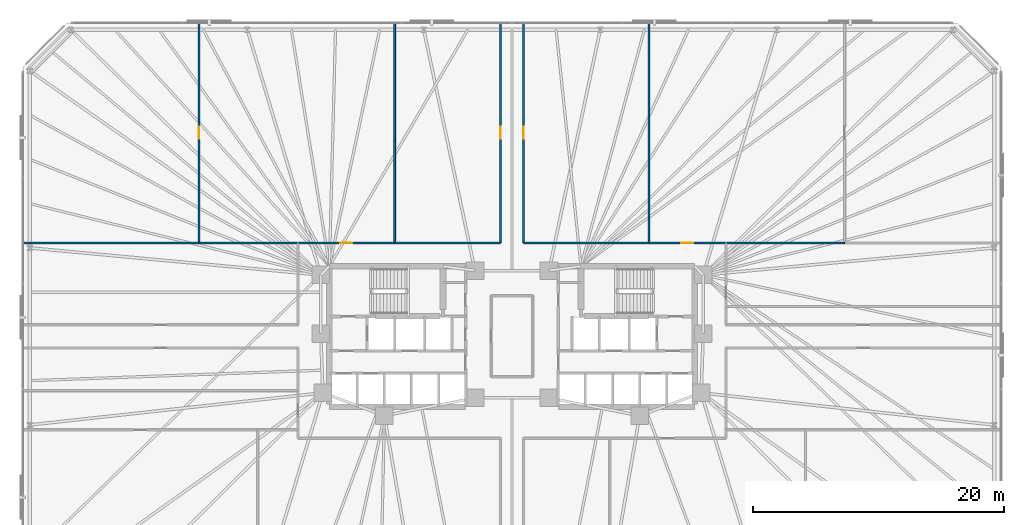
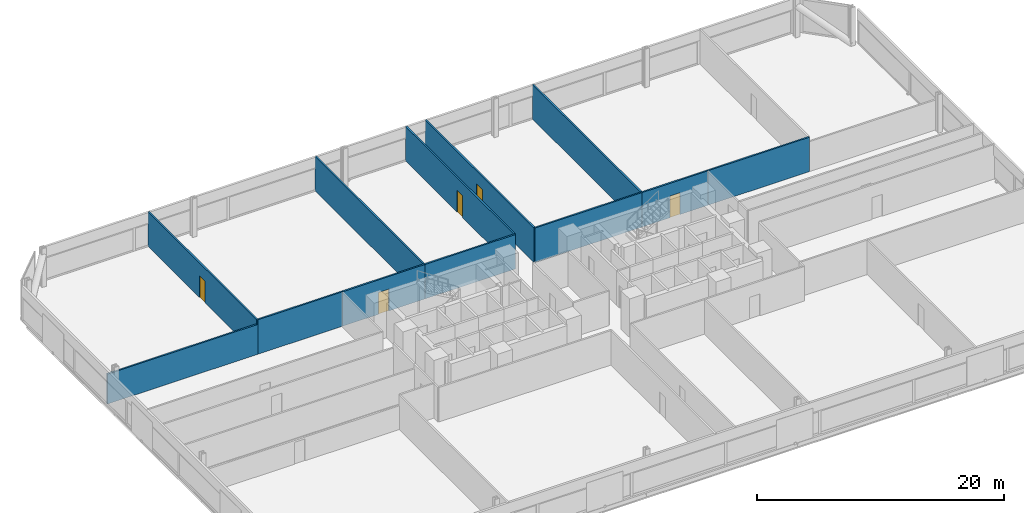
# One storey, part 14 of 17: 12 walls, 5 doors, 5 openings.
"""IFC4 building model written with IfcOpenShell, lengths in metres."""

from ifc_helpers import new_model, si_unit, direction, frame, frame_2d, origin, place, context, subcontext, project, spatial, rectangle, extrude, material, layer, layer_set, type_object, element, fill, save


model = new_model("IFC4")

# Units and contexts
model_context = context("Model", 3, precision=1e-05, world=origin(), true_north=direction((0.0, 1.0)))
body_context = subcontext(model_context, "Body", "Model", "MODEL_VIEW")
ifc_project = project(units=[si_unit("LENGTHUNIT", "METRE"), si_unit("AREAUNIT", "SQUARE_METRE"), si_unit("VOLUMEUNIT", "CUBIC_METRE"), si_unit("PLANEANGLEUNIT", "RADIAN"), si_unit("MASSUNIT", "GRAM", prefix="KILO")], contexts=[model_context])

# Site, building, storey
site_placement = place(None, origin())
site = spatial("IfcSite", under=ifc_project, at=site_placement, CompositionType="ELEMENT")
building_placement = place(site_placement, origin())
building = spatial("IfcBuilding", under=site, at=building_placement, Name="Menara Jurai Vektor", CompositionType="ELEMENT")
storey_placement = place(building_placement, frame((0.0, 0.0, 75.0)))
storey = spatial("IfcBuildingStorey", under=building, at=storey_placement, Name="L18", CompositionType="ELEMENT", Elevation=75.0)

# Wall, opening, door
ifc_material_1 = material(Name="Gypsum Fireboard Partition", Category="gypsum")
ifc_layer_1 = layer(ifc_material_1, 0.14990234375)
ifc_layer_set_1 = layer_set([ifc_layer_1], Name="Gypsum Fireboard Partition")
wall_type_1 = type_object("IfcWallType", Name="INT-WALL-CORR-150", PredefinedType="PARTITIONING", material=ifc_layer_set_1)
wall_1_placement = place(storey_placement, frame((-17.05908203125, 7.449951171875, 0.0), z_axis=(0.0, 0.0, 1.0), x_axis=(1.0, 0.0, 0.0)))
wall_1 = element("IfcWall", 1, at=wall_1_placement, inside=storey, type_object=wall_type_1, Name="Interior Wall IW-150 L18", PredefinedType="PARTITIONING", context=body_context, shape_type="SweptSolid", body=[
    extrude(rectangle(XDim=7.698974609375, YDim=0.14990234375, at=frame_2d((3.849609375, 0.0))), origin(), (0.0, 0.0, 1.0), 3.39990234375),
])
opening_1_placement = place(wall_1_placement, frame((3.37451171875, 0.0, 0.0)))
opening_1 = element("IfcOpeningElement", 2, at=opening_1_placement, cuts=wall_1, Name="Opening D18-05", PredefinedType="OPENING", context=body_context, shape_type="SweptSolid", body=[
    extrude(rectangle(XDim=0.949951171875, YDim=2.14990234375, at=frame_2d((0.47509765625, 1.074951171875))), frame((0.0, 0.0849609375, 0.0), z_axis=(0.0, -1.0, 0.0), x_axis=(1.0, 0.0, 0.0)), (0.0, 0.0, 1.0), 0.169921875),
])
ifc_material_2 = material(Name="Solid Core Timber Fire Door", Category="wood")
door_type = type_object("IfcDoorType", Name="DR-ENTRY-950", OperationType="NOTDEFINED", PredefinedType="DOOR", material=ifc_material_2)
door_1_placement = place(opening_1_placement, origin())
door_1 = element("IfcDoor", 3, at=door_1_placement, inside=storey, type_object=door_type, Name="Interior Door D18-05", OperationType="SINGLE_SWING_RIGHT", OverallHeight=2.14990234375, OverallWidth=0.949951171875, PredefinedType="DOOR", context=body_context, shape_type="SweptSolid", body=[
    extrude(rectangle(XDim=0.949951171875, YDim=2.14990234375, at=frame_2d((0.47509765625, 1.074951171875))), frame((0.0, 0.02490234375, 0.0), z_axis=(0.0, -1.0, 0.0), x_axis=(1.0, 0.0, 0.0)), (0.0, 0.0, 1.0), 0.050048828125),
])
fill(opening_1, door_1)

# Wall
wall_2_placement = place(storey_placement, frame((-9.360107421875, 7.449951171875, 0.0), z_axis=(0.0, 0.0, 1.0), x_axis=(1.0, 0.0, 0.0)))
element("IfcWall", 4, at=wall_2_placement, inside=storey, type_object=wall_type_1, Name="Interior Wall IW-150 L18", PredefinedType="PARTITIONING", context=body_context, shape_type="SweptSolid", body=[
    extrude(rectangle(XDim=8.440185546875, YDim=0.14990234375, at=frame_2d((4.22021484375, 0.0))), origin(), (0.0, 0.0, 1.0), 3.39990234375),
])

# Wall, opening, door
wall_3_placement = place(storey_placement, frame((-0.919921875, 7.449951171875, 0.0), z_axis=(0.0, 0.0, 1.0), x_axis=(0.0, 1.0, 0.0)))
wall_3 = element("IfcWall", 5, at=wall_3_placement, inside=storey, type_object=wall_type_1, Name="Interior Wall IW-150 L18", PredefinedType="PARTITIONING", context=body_context, shape_type="SweptSolid", body=[
    extrude(rectangle(XDim=17.550048828125, YDim=0.14990234375, at=frame_2d((8.77490234375, 0.0))), origin(), (0.0, 0.0, 1.0), 3.39990234375),
])
opening_2_placement = place(wall_3_placement, frame((8.300048828125, 0.0, 0.0)))
opening_2 = element("IfcOpeningElement", 6, at=opening_2_placement, cuts=wall_3, Name="Opening D18-06", PredefinedType="OPENING", context=body_context, shape_type="SweptSolid", body=[
    extrude(rectangle(XDim=0.949951171875, YDim=2.14990234375, at=frame_2d((0.47509765625, 1.074951171875))), frame((0.0, 0.0849609375, 0.0), z_axis=(0.0, -1.0, 0.0), x_axis=(1.0, 0.0, 0.0)), (0.0, 0.0, 1.0), 0.169921875),
])
door_2_placement = place(opening_2_placement, origin())
door_2 = element("IfcDoor", 7, at=door_2_placement, inside=storey, type_object=door_type, Name="Interior Door D18-06", OperationType="SINGLE_SWING_LEFT", OverallHeight=2.14990234375, OverallWidth=0.949951171875, PredefinedType="DOOR", context=body_context, shape_type="SweptSolid", body=[
    extrude(rectangle(XDim=0.949951171875, YDim=2.14990234375, at=frame_2d((0.47509765625, 1.074951171875))), frame((0.0, 0.02490234375, 0.0), z_axis=(0.0, -1.0, 0.0), x_axis=(1.0, 0.0, 0.0)), (0.0, 0.0, 1.0), 0.050048828125),
])
fill(opening_2, door_2)

wall_4_placement = place(storey_placement, frame((0.919921875, 7.449951171875, 0.0), z_axis=(0.0, 0.0, 1.0), x_axis=(0.0, 1.0, 0.0)))
wall_4 = element("IfcWall", 8, at=wall_4_placement, inside=storey, type_object=wall_type_1, Name="Interior Wall IW-150 L18", PredefinedType="PARTITIONING", context=body_context, shape_type="SweptSolid", body=[
    extrude(rectangle(XDim=17.550048828125, YDim=0.14990234375, at=frame_2d((8.77490234375, 0.0))), origin(), (0.0, 0.0, 1.0), 3.39990234375),
])
opening_3_placement = place(wall_4_placement, frame((8.300048828125, 0.0, 0.0)))
opening_3 = element("IfcOpeningElement", 9, at=opening_3_placement, cuts=wall_4, Name="Opening D18-07", PredefinedType="OPENING", context=body_context, shape_type="SweptSolid", body=[
    extrude(rectangle(XDim=0.949951171875, YDim=2.14990234375, at=frame_2d((0.47509765625, 1.074951171875))), frame((0.0, 0.0849609375, 0.0), z_axis=(0.0, -1.0, 0.0), x_axis=(1.0, 0.0, 0.0)), (0.0, 0.0, 1.0), 0.169921875),
])
door_3_placement = place(opening_3_placement, origin())
door_3 = element("IfcDoor", 10, at=door_3_placement, inside=storey, type_object=door_type, Name="Interior Door D18-07", OperationType="SINGLE_SWING_RIGHT", OverallHeight=2.14990234375, OverallWidth=0.949951171875, PredefinedType="DOOR", context=body_context, shape_type="SweptSolid", body=[
    extrude(rectangle(XDim=0.949951171875, YDim=2.14990234375, at=frame_2d((0.47509765625, 1.074951171875))), frame((0.0, 0.02490234375, 0.0), z_axis=(0.0, -1.0, 0.0), x_axis=(1.0, 0.0, 0.0)), (0.0, 0.0, 1.0), 0.050048828125),
])
fill(opening_3, door_3)

# Wall
wall_5_placement = place(storey_placement, frame((0.919921875, 7.449951171875, 0.0), z_axis=(0.0, 0.0, 1.0), x_axis=(1.0, 0.0, 0.0)))
element("IfcWall", 11, at=wall_5_placement, inside=storey, type_object=wall_type_1, Name="Interior Wall IW-150 L18", PredefinedType="PARTITIONING", context=body_context, shape_type="SweptSolid", body=[
    extrude(rectangle(XDim=10.0, YDim=0.14990234375, at=frame_2d((5.0, 0.0))), origin(), (0.0, 0.0, 1.0), 3.39990234375),
])

# Wall, opening, door
wall_6_placement = place(storey_placement, frame((10.919921875, 7.449951171875, 0.0), z_axis=(0.0, 0.0, 1.0), x_axis=(1.0, 0.0, 0.0)))
wall_6 = element("IfcWall", 12, at=wall_6_placement, inside=storey, type_object=wall_type_1, Name="Interior Wall IW-150 L18", PredefinedType="PARTITIONING", context=body_context, shape_type="SweptSolid", body=[
    extrude(rectangle(XDim=6.13916015625, YDim=0.14990234375, at=frame_2d((3.069580078125, 0.0))), origin(), (0.0, 0.0, 1.0), 3.39990234375),
])
opening_4_placement = place(wall_6_placement, frame((2.594482421875, 0.0, 0.0)))
opening_4 = element("IfcOpeningElement", 13, at=opening_4_placement, cuts=wall_6, Name="Opening D18-08", PredefinedType="OPENING", context=body_context, shape_type="SweptSolid", body=[
    extrude(rectangle(XDim=0.949951171875, YDim=2.14990234375, at=frame_2d((0.47509765625, 1.074951171875))), frame((0.0, 0.0849609375, 0.0), z_axis=(0.0, -1.0, 0.0), x_axis=(1.0, 0.0, 0.0)), (0.0, 0.0, 1.0), 0.169921875),
])
door_4_placement = place(opening_4_placement, origin())
door_4 = element("IfcDoor", 14, at=door_4_placement, inside=storey, type_object=door_type, Name="Interior Door D18-08", OperationType="SINGLE_SWING_LEFT", OverallHeight=2.14990234375, OverallWidth=0.949951171875, PredefinedType="DOOR", context=body_context, shape_type="SweptSolid", body=[
    extrude(rectangle(XDim=0.949951171875, YDim=2.14990234375, at=frame_2d((0.47509765625, 1.074951171875))), frame((0.0, 0.02490234375, 0.0), z_axis=(0.0, -1.0, 0.0), x_axis=(1.0, 0.0, 0.0)), (0.0, 0.0, 1.0), 0.050048828125),
])
fill(opening_4, door_4)

wall_7_placement = place(storey_placement, frame((-24.9599609375, 7.449951171875, 0.0), z_axis=(0.0, 0.0, 1.0), x_axis=(0.0, 1.0, 0.0)))
wall_7 = element("IfcWall", 15, at=wall_7_placement, inside=storey, type_object=wall_type_1, Name="Interior Wall IW-150 L18", PredefinedType="PARTITIONING", context=body_context, shape_type="SweptSolid", body=[
    extrude(rectangle(XDim=17.550048828125, YDim=0.14990234375, at=frame_2d((8.77490234375, 0.0))), origin(), (0.0, 0.0, 1.0), 3.39990234375),
])
opening_5_placement = place(wall_7_placement, frame((8.300048828125, 0.0, 0.0)))
opening_5 = element("IfcOpeningElement", 16, at=opening_5_placement, cuts=wall_7, Name="Opening D18-18", PredefinedType="OPENING", context=body_context, shape_type="SweptSolid", body=[
    extrude(rectangle(XDim=0.949951171875, YDim=2.14990234375, at=frame_2d((0.47509765625, 1.074951171875))), frame((0.0, 0.0849609375, 0.0), z_axis=(0.0, -1.0, 0.0), x_axis=(1.0, 0.0, 0.0)), (0.0, 0.0, 1.0), 0.169921875),
])
door_5_placement = place(opening_5_placement, origin())
door_5 = element("IfcDoor", 17, at=door_5_placement, inside=storey, type_object=door_type, Name="Interior Door D18-18", OperationType="SINGLE_SWING_LEFT", OverallHeight=2.14990234375, OverallWidth=0.949951171875, PredefinedType="DOOR", context=body_context, shape_type="SweptSolid", body=[
    extrude(rectangle(XDim=0.949951171875, YDim=2.14990234375, at=frame_2d((0.47509765625, 1.074951171875))), frame((0.0, 0.02490234375, 0.0), z_axis=(0.0, -1.0, 0.0), x_axis=(1.0, 0.0, 0.0)), (0.0, 0.0, 1.0), 0.050048828125),
])
fill(opening_5, door_5)

# Walls
wall_8_placement = place(storey_placement, frame((-9.360107421875, 7.449951171875, 0.0), z_axis=(0.0, 0.0, 1.0), x_axis=(0.0, 1.0, 0.0)))
element("IfcWall", 18, at=wall_8_placement, inside=storey, type_object=wall_type_1, Name="Interior Wall IW-150 L18", PredefinedType="PARTITIONING", context=body_context, shape_type="SweptSolid", body=[
    extrude(rectangle(XDim=17.550048828125, YDim=0.14990234375, at=frame_2d((8.77490234375, 0.0))), origin(), (0.0, 0.0, 1.0), 3.39990234375),
])
wall_9_placement = place(storey_placement, frame((-24.9599609375, 7.449951171875, 0.0), z_axis=(0.0, 0.0, 1.0), x_axis=(1.0, 0.0, 0.0)))
element("IfcWall", 19, at=wall_9_placement, inside=storey, type_object=wall_type_1, Name="Interior Wall IW-150 L18", PredefinedType="PARTITIONING", context=body_context, shape_type="SweptSolid", body=[
    extrude(rectangle(XDim=7.90087890625, YDim=0.14990234375, at=frame_2d((3.950439453125, 0.0))), origin(), (0.0, 0.0, 1.0), 3.39990234375),
])
wall_10_placement = place(storey_placement, frame((10.919921875, 7.449951171875, 0.0), z_axis=(0.0, 0.0, 1.0), x_axis=(0.0, 1.0, 0.0)))
element("IfcWall", 20, at=wall_10_placement, inside=storey, type_object=wall_type_1, Name="Interior Wall IW-150 L18", PredefinedType="PARTITIONING", context=body_context, shape_type="SweptSolid", body=[
    extrude(rectangle(XDim=17.550048828125, YDim=0.14990234375, at=frame_2d((8.77490234375, 0.0))), origin(), (0.0, 0.0, 1.0), 3.39990234375),
])
wall_11_placement = place(storey_placement, frame((17.05908203125, 7.449951171875, 0.0), z_axis=(0.0, 0.0, 1.0), x_axis=(1.0, 0.0, 0.0)))
element("IfcWall", 21, at=wall_11_placement, inside=storey, type_object=wall_type_1, Name="Interior Wall IW-150 L18", PredefinedType="PARTITIONING", context=body_context, shape_type="SweptSolid", body=[
    extrude(rectangle(XDim=9.4609375, YDim=0.14990234375, at=frame_2d((4.73046875, 0.0))), origin(), (0.0, 0.0, 1.0), 3.39990234375),
])
ifc_layer_2 = layer(ifc_material_1, 0.14990234375)
ifc_layer_set_2 = layer_set([ifc_layer_2], Name="Gypsum Fireboard Partition")
wall_type_2 = type_object("IfcWallType", Name="INT-WALL-CORR-150-H1", PredefinedType="PARTITIONING", material=ifc_layer_set_2)
wall_12_placement = place(storey_placement, frame((-39.0, 7.449951171875, 0.0), z_axis=(0.0, 0.0, 1.0), x_axis=(1.0, 0.0, 0.0)))
element("IfcWall", 22, at=wall_12_placement, inside=storey, type_object=wall_type_2, Name="Interior Wall IW-150 L18", PredefinedType="PARTITIONING", context=body_context, shape_type="SweptSolid", body=[
    extrude(rectangle(XDim=14.0400390625, YDim=0.14990234375, at=frame_2d((7.02001953125, 0.0))), origin(), (0.0, 0.0, 1.0), 2.949951171875),
])

save(model, "model.ifc")
